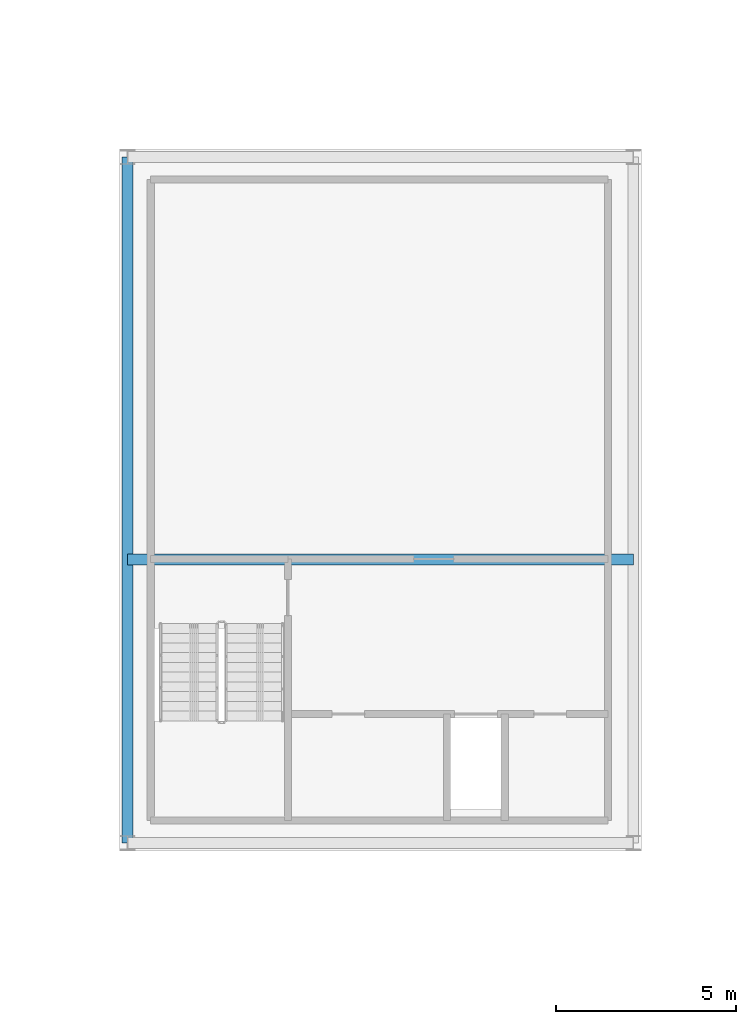
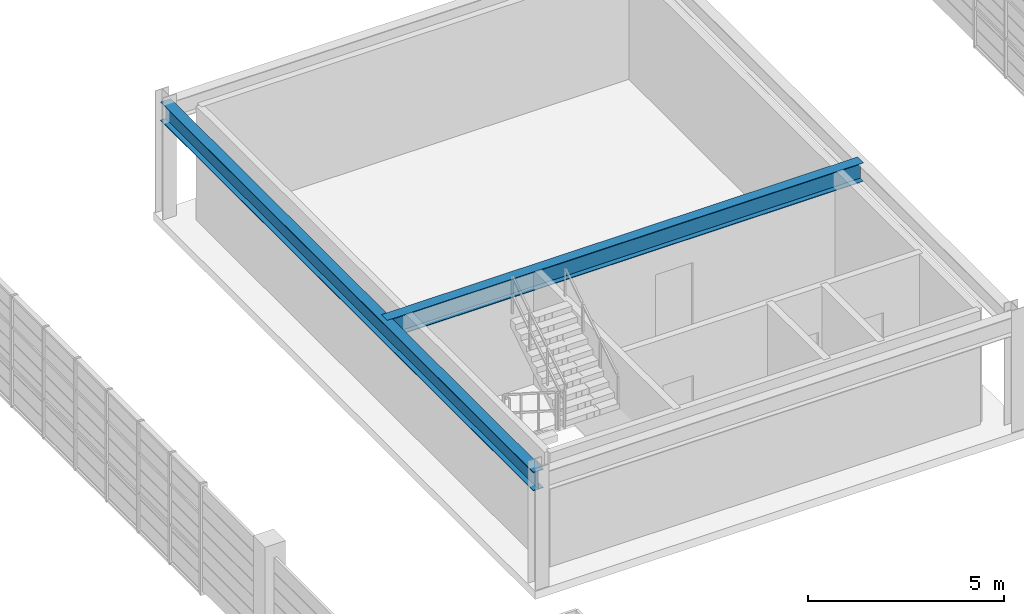
# One storey, part 8 of 21: 2 beams.
"""IFC4 building model written with IfcOpenShell, lengths in metres."""

from ifc_helpers import new_model, si_unit, direction, frame, origin, origin_2d, place, context, subcontext, project, spatial, i_section, extrude, source, transform, mapped, material, material_profile, profile_set, type_object, element, save


model = new_model("IFC4")

# Units and contexts
model_context = context("Model", 3, precision=1e-05, world=origin(), true_north=direction((0.0, 1.0)))
body_context = subcontext(model_context, "Body", "Model", "MODEL_VIEW")
ifc_project = project(units=[si_unit("LENGTHUNIT", "METRE"), si_unit("AREAUNIT", "SQUARE_METRE"), si_unit("VOLUMEUNIT", "CUBIC_METRE"), si_unit("PLANEANGLEUNIT", "RADIAN"), si_unit("MASSUNIT", "GRAM", prefix="KILO")], contexts=[model_context])

# Site, building, storey
site_placement = place(None, origin())
site = spatial("IfcSite", under=ifc_project, at=site_placement, CompositionType="ELEMENT")
building_placement = place(site_placement, origin())
building = spatial("IfcBuilding", under=site, at=building_placement, Name="Saelheon Loggia Tower", CompositionType="ELEMENT")
storey_placement = place(building_placement, frame((0.0, 0.0, 259.800048828125)))
storey = spatial("IfcBuildingStorey", under=building, at=storey_placement, Name="CR3", CompositionType="ELEMENT", Elevation=259.800048828125)

# Beams
ifc_material = material(Name="Steel SM355", Category="steel")
ifc_material_profile = material_profile(ifc_material, i_section(OverallWidth=0.300048828125, OverallDepth=0.587890625, WebThickness=0.011962890625, FlangeThickness=0.02001953125, at=origin_2d()), Name="H-588x300x12x20")
ifc_profile_set = profile_set([ifc_material_profile], Name="Steel SM355")
beam_type = type_object("IfcBeamType", Name="Beam_Girder_Steel_H588", PredefinedType="BEAM", material=ifc_profile_set)
shared_shape_1 = source(origin(), body_context, "Body", "SweptSolid", [
    extrude(i_section(OverallWidth=0.300048828125, OverallDepth=0.587890625, WebThickness=0.011962890625, FlangeThickness=0.02001953125, at=origin_2d()), origin(), (0.0, 0.0, 1.0), 14.0400390625),
])
beam_1_placement = place(storey_placement, frame((30.97998046875, 25.35009765625, 3.255859375), z_axis=(1.0, 0.0, 0.0), x_axis=(0.0, 1.0, 0.0)))
element("IfcBeam", 1, at=beam_1_placement, inside=storey, type_object=beam_type, Name="BM-CR3-PL-ST5", PredefinedType="BEAM", context=body_context, shape_type="MappedRepresentation", body=[
    mapped(shared_shape_1, transform((0.0, 0.0, 0.0), scale=1.0)),
])
shared_shape_2 = source(origin(), body_context, "Body", "SweptSolid", [
    extrude(i_section(OverallWidth=0.300048828125, OverallDepth=0.587890625, WebThickness=0.011962890625, FlangeThickness=0.02001953125, at=origin_2d()), origin(), (0.0, 0.0, 1.0), 19.0400390625),
])
beam_2_placement = place(storey_placement, frame((30.97998046875, 17.47998046875, 3.255859375), z_axis=(0.0, 1.0, 0.0), x_axis=(-1.0, 0.0, 0.0)))
element("IfcBeam", 2, at=beam_2_placement, inside=storey, type_object=beam_type, Name="BM-CR3-PL-W", PredefinedType="BEAM", context=body_context, shape_type="MappedRepresentation", body=[
    mapped(shared_shape_2, transform((0.0, 0.0, 0.0), scale=1.0)),
])

save(model, "model.ifc")
